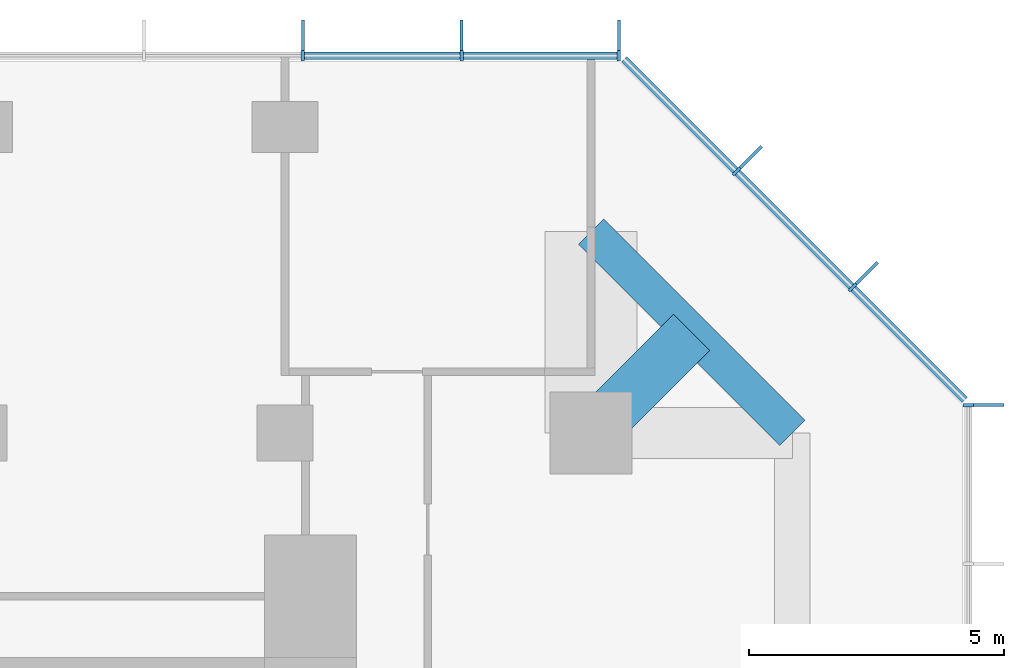
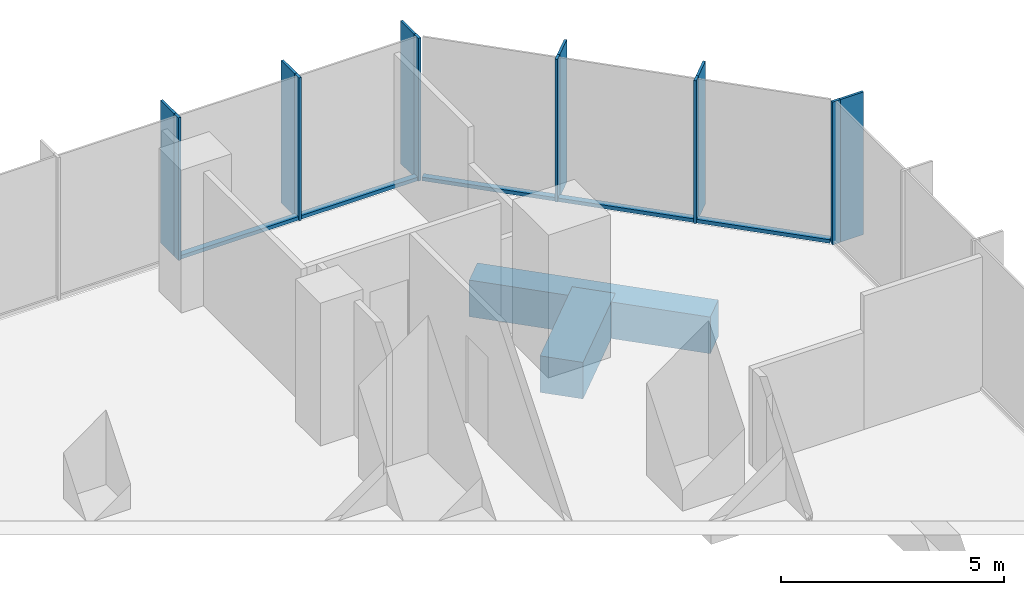
# One storey, part 6 of 11: 17 members, 2 beams, 3 elements without a shape of their own.
"""IFC4 building model written with IfcOpenShell, lengths in metres."""

from ifc_helpers import new_model, si_unit, direction, frame, origin, origin_2d, place, context, subcontext, project, spatial, rectangle, extrude, material, layer, layer_set, material_profile, profile_set, type_object, element, aggregate, save


model = new_model("IFC4")

# Units and contexts
model_context = context("Model", 3, precision=1e-05, world=origin(), true_north=direction((0.0, 1.0)))
body_context = subcontext(model_context, "Body", "Model", "MODEL_VIEW")
ifc_project = project(units=[si_unit("LENGTHUNIT", "METRE"), si_unit("AREAUNIT", "SQUARE_METRE"), si_unit("VOLUMEUNIT", "CUBIC_METRE"), si_unit("PLANEANGLEUNIT", "RADIAN"), si_unit("MASSUNIT", "GRAM", prefix="KILO")], contexts=[model_context])

# Site, building, storey
site_placement = place(None, origin())
site = spatial("IfcSite", under=ifc_project, at=site_placement, CompositionType="ELEMENT")
building_placement = place(site_placement, origin())
building = spatial("IfcBuilding", under=site, at=building_placement, Name="Highveld Stack Headquarters", CompositionType="ELEMENT")
storey_placement = place(building_placement, frame((0.0, 0.0, 260.60009765625)))
storey = spatial("IfcBuildingStorey", under=building, at=storey_placement, Name="L64", CompositionType="ELEMENT", Elevation=260.60009765625)

# Beam
ifc_material_1 = material(Name="Concrete C60/75", Category="concrete")
ifc_material_profile_1 = material_profile(ifc_material_1, rectangle(XDim=1.0, YDim=1.0, at=origin_2d()), Name="RC 1000x1000")
ifc_profile_set_1 = profile_set([ifc_material_profile_1], Name="Concrete C60/75")
beam_type_1 = type_object("IfcBeamType", Name="CANTILEVER RIB RC 1000x1000", PredefinedType="USERDEFINED", material=ifc_profile_set_1)
beam_1_placement = place(storey_placement, frame((24.0, 18.0, -0.75), z_axis=(0.707106781187, 0.707106781187, 0.0), x_axis=(-0.707106781187, 0.707106781187, 0.0)))
element("IfcBeam", 1, at=beam_1_placement, inside=storey, type_object=beam_type_1, Name="Cantilever rib 10/H L64", ObjectType="CANTILEVER RIB", PredefinedType="USERDEFINED", context=body_context, shape_type="SweptSolid", body=[
    extrude(rectangle(XDim=1.0, YDim=1.0, at=origin_2d()), origin(), (0.0, 0.0, 1.0), 2.793212890625),
])

# Curtain wall, member
ifc_material_2 = material(Name="Aluminium bronze anodised", Category="aluminium")
ifc_layer = layer(ifc_material_2, 0.199951171875)
ifc_layer_set = layer_set([ifc_layer], Name="Aluminium bronze anodised")
curtain_wall_type = type_object("IfcCurtainWallType", Name="CW5 EXECUTIVE UNITISED CURTAIN WALL", PredefinedType="NOTDEFINED", material=ifc_layer_set)
curtain_wall_1_placement = place(storey_placement, origin())
curtain_wall_1 = element("IfcCurtainWall", 2, at=curtain_wall_1_placement, inside=storey, type_object=curtain_wall_type, Name="Curtain wall CW5 L64 E", PredefinedType="NOTDEFINED")
ifc_material_3 = material(Name="Aluminium bronze anodised", Category="aluminium")
ifc_material_profile_2 = material_profile(ifc_material_3, rectangle(XDim=0.60009765625, YDim=0.06005859375, at=origin_2d()), Name="FIN 600x60")
ifc_profile_set_2 = profile_set([ifc_material_profile_2], Name="Aluminium bronze anodised")
member_type_1 = type_object("IfcMemberType", Name="CW5 BRONZE FIN 600x60", PredefinedType="USERDEFINED", material=ifc_profile_set_2)
member_1_placement = place(storey_placement, frame((31.800048828125, 18.54736328125, 0.0), z_axis=(0.0, 0.0, 1.0), x_axis=(-1.0, 0.0, 0.0)))
member_1 = element("IfcMember", 3, at=member_1_placement, type_object=member_type_1, Name="CW5 fin L64 9", ObjectType="FIN", PredefinedType="USERDEFINED", context=body_context, shape_type="SweptSolid", body=[
    extrude(rectangle(XDim=0.60009765625, YDim=0.06005859375, at=origin_2d()), origin(), (0.0, 0.0, 1.0), 3.89990234375),
])

# Curtain wall, members
curtain_wall_2_placement = place(storey_placement, origin())
curtain_wall_2 = element("IfcCurtainWall", 4, at=curtain_wall_2_placement, inside=storey, type_object=curtain_wall_type, Name="Curtain wall CW5 L64 NE", PredefinedType="NOTDEFINED")
member_2_placement = place(storey_placement, frame((29.409423828125, 21.135986328125, 0.0), z_axis=(0.0, 0.0, 1.0), x_axis=(-0.707106781187, -0.707106781187, 0.0)))
member_2 = element("IfcMember", 5, at=member_2_placement, type_object=member_type_1, Name="CW5 fin L64 1", ObjectType="FIN", PredefinedType="USERDEFINED", context=body_context, shape_type="SweptSolid", body=[
    extrude(rectangle(XDim=0.60009765625, YDim=0.06005859375, at=origin_2d()), origin(), (0.0, 0.0, 1.0), 3.89990234375),
])
member_3_placement = place(storey_placement, frame((27.135986328125, 23.409423828125, 0.0), z_axis=(0.0, 0.0, 1.0), x_axis=(-0.707106781187, -0.707106781187, 0.0)))
member_3 = element("IfcMember", 6, at=member_3_placement, type_object=member_type_1, Name="CW5 fin L64 2", ObjectType="FIN", PredefinedType="USERDEFINED", context=body_context, shape_type="SweptSolid", body=[
    extrude(rectangle(XDim=0.60009765625, YDim=0.06005859375, at=origin_2d()), origin(), (0.0, 0.0, 1.0), 3.89990234375),
])

curtain_wall_3_placement = place(storey_placement, origin())
curtain_wall_3 = element("IfcCurtainWall", 7, at=curtain_wall_3_placement, inside=storey, type_object=curtain_wall_type, Name="Curtain wall CW5 L64 N", PredefinedType="NOTDEFINED")
member_4_placement = place(storey_placement, frame((24.54736328125, 25.800048828125, 0.0), z_axis=(0.0, 0.0, 1.0), x_axis=(0.0, -1.0, 0.0)))
member_4 = element("IfcMember", 8, at=member_4_placement, type_object=member_type_1, Name="CW5 fin L64 1", ObjectType="FIN", PredefinedType="USERDEFINED", context=body_context, shape_type="SweptSolid", body=[
    extrude(rectangle(XDim=0.60009765625, YDim=0.06005859375, at=origin_2d()), origin(), (0.0, 0.0, 1.0), 3.89990234375),
])
member_5_placement = place(storey_placement, frame((21.4638671875, 25.800048828125, 0.0), z_axis=(0.0, 0.0, 1.0), x_axis=(0.0, -1.0, 0.0)))
member_5 = element("IfcMember", 9, at=member_5_placement, type_object=member_type_1, Name="CW5 fin L64 2", ObjectType="FIN", PredefinedType="USERDEFINED", context=body_context, shape_type="SweptSolid", body=[
    extrude(rectangle(XDim=0.60009765625, YDim=0.06005859375, at=origin_2d()), origin(), (0.0, 0.0, 1.0), 3.89990234375),
])
member_6_placement = place(storey_placement, frame((18.347900390625, 25.800048828125, 0.0), z_axis=(0.0, 0.0, 1.0), x_axis=(0.0, -1.0, 0.0)))
member_6 = element("IfcMember", 10, at=member_6_placement, type_object=member_type_1, Name="CW5 fin L64 3", ObjectType="FIN", PredefinedType="USERDEFINED", context=body_context, shape_type="SweptSolid", body=[
    extrude(rectangle(XDim=0.60009765625, YDim=0.06005859375, at=origin_2d()), origin(), (0.0, 0.0, 1.0), 3.89990234375),
])

# Member
ifc_material_4 = material(Name="Aluminium bronze anodised", Category="aluminium")
ifc_material_profile_3 = material_profile(ifc_material_4, rectangle(XDim=0.199951171875, YDim=0.06494140625, at=origin_2d()), Name="CW5 MULLION 65x200")
ifc_profile_set_3 = profile_set([ifc_material_profile_3], Name="Aluminium bronze anodised")
member_type_2 = type_object("IfcMemberType", Name="CW5 MULLION 65x200", PredefinedType="MULLION", material=ifc_profile_set_3)
member_7_placement = place(storey_placement, frame((31.39990234375, 18.54736328125, 0.0), z_axis=(0.0, 0.0, 1.0), x_axis=(-1.0, 0.0, 0.0)))
member_7 = element("IfcMember", 11, at=member_7_placement, type_object=member_type_2, Name="CW5 mullion L64 9", PredefinedType="MULLION", context=body_context, shape_type="SweptSolid", body=[
    extrude(rectangle(XDim=0.199951171875, YDim=0.06494140625, at=origin_2d()), origin(), (0.0, 0.0, 1.0), 3.89990234375),
])

aggregate(curtain_wall_1, [member_7, member_1])

member_8_placement = place(storey_placement, frame((29.126708984375, 20.853271484375, 0.0), z_axis=(0.0, 0.0, 1.0), x_axis=(-0.707106781187, -0.707106781187, 0.0)))
member_8 = element("IfcMember", 12, at=member_8_placement, type_object=member_type_2, Name="CW5 mullion L64 1", PredefinedType="MULLION", context=body_context, shape_type="SweptSolid", body=[
    extrude(rectangle(XDim=0.199951171875, YDim=0.06494140625, at=origin_2d()), origin(), (0.0, 0.0, 1.0), 3.89990234375),
])

member_9_placement = place(storey_placement, frame((26.853271484375, 23.126708984375, 0.0), z_axis=(0.0, 0.0, 1.0), x_axis=(-0.707106781187, -0.707106781187, 0.0)))
member_9 = element("IfcMember", 13, at=member_9_placement, type_object=member_type_2, Name="CW5 mullion L64 2", PredefinedType="MULLION", context=body_context, shape_type="SweptSolid", body=[
    extrude(rectangle(XDim=0.199951171875, YDim=0.06494140625, at=origin_2d()), origin(), (0.0, 0.0, 1.0), 3.89990234375),
])

member_10_placement = place(storey_placement, frame((24.54736328125, 25.39990234375, 0.0), z_axis=(0.0, 0.0, 1.0), x_axis=(0.0, -1.0, 0.0)))
member_10 = element("IfcMember", 14, at=member_10_placement, type_object=member_type_2, Name="CW5 mullion L64 1", PredefinedType="MULLION", context=body_context, shape_type="SweptSolid", body=[
    extrude(rectangle(XDim=0.199951171875, YDim=0.06494140625, at=origin_2d()), origin(), (0.0, 0.0, 1.0), 3.89990234375),
])

member_11_placement = place(storey_placement, frame((21.4638671875, 25.39990234375, 0.0), z_axis=(0.0, 0.0, 1.0), x_axis=(0.0, -1.0, 0.0)))
member_11 = element("IfcMember", 15, at=member_11_placement, type_object=member_type_2, Name="CW5 mullion L64 2", PredefinedType="MULLION", context=body_context, shape_type="SweptSolid", body=[
    extrude(rectangle(XDim=0.199951171875, YDim=0.06494140625, at=origin_2d()), origin(), (0.0, 0.0, 1.0), 3.89990234375),
])

member_12_placement = place(storey_placement, frame((18.347900390625, 25.39990234375, 0.0), z_axis=(0.0, 0.0, 1.0), x_axis=(0.0, -1.0, 0.0)))
member_12 = element("IfcMember", 16, at=member_12_placement, type_object=member_type_2, Name="CW5 mullion L64 3", PredefinedType="MULLION", context=body_context, shape_type="SweptSolid", body=[
    extrude(rectangle(XDim=0.199951171875, YDim=0.06494140625, at=origin_2d()), origin(), (0.0, 0.0, 1.0), 3.89990234375),
])

ifc_material_5 = material(Name="Aluminium bronze anodised", Category="aluminium")
ifc_material_profile_4 = material_profile(ifc_material_5, rectangle(XDim=0.14990234375, YDim=0.10009765625, at=origin_2d()), Name="CW5 TRANSOM 150x100")
ifc_profile_set_4 = profile_set([ifc_material_profile_4], Name="Aluminium bronze anodised")
member_type_3 = type_object("IfcMemberType", Name="CW5 STACK TRANSOM 150x100", PredefinedType="USERDEFINED", material=ifc_profile_set_4)
member_13_placement = place(storey_placement, frame((31.329345703125, 18.650634765625, 0.0498046875), z_axis=(-0.707106781187, 0.707106781187, 0.0), x_axis=(-0.707106781187, -0.707106781187, 0.0)))
member_13 = element("IfcMember", 17, at=member_13_placement, type_object=member_type_3, Name="CW5 transom L64 1.1", ObjectType="TRANSOM", PredefinedType="USERDEFINED", context=body_context, shape_type="SweptSolid", body=[
    extrude(rectangle(XDim=0.14990234375, YDim=0.10009765625, at=origin_2d()), origin(), (0.0, 0.0, 1.0), 3.08251953125),
])

member_14_placement = place(storey_placement, frame((29.103759765625, 20.876220703125, 0.0498046875), z_axis=(-0.707106781187, 0.707106781187, 0.0), x_axis=(-0.707106781187, -0.707106781187, 0.0)))
member_14 = element("IfcMember", 18, at=member_14_placement, type_object=member_type_3, Name="CW5 transom L64 2.1", ObjectType="TRANSOM", PredefinedType="USERDEFINED", context=body_context, shape_type="SweptSolid", body=[
    extrude(rectangle(XDim=0.14990234375, YDim=0.10009765625, at=origin_2d()), origin(), (0.0, 0.0, 1.0), 3.150146484375),
])

member_15_placement = place(storey_placement, frame((26.830322265625, 23.149658203125, 0.0498046875), z_axis=(-0.707106781187, 0.707106781187, 0.0), x_axis=(-0.707106781187, -0.707106781187, 0.0)))
member_15 = element("IfcMember", 19, at=member_15_placement, type_object=member_type_3, Name="CW5 transom L64 3.1", ObjectType="TRANSOM", PredefinedType="USERDEFINED", context=body_context, shape_type="SweptSolid", body=[
    extrude(rectangle(XDim=0.14990234375, YDim=0.10009765625, at=origin_2d()), origin(), (0.0, 0.0, 1.0), 3.08251953125),
])

aggregate(curtain_wall_2, [member_8, member_2, member_9, member_3, member_13, member_14, member_15])

member_16_placement = place(storey_placement, frame((24.514892578125, 25.39990234375, 0.0498046875), z_axis=(-1.0, 0.0, 0.0), x_axis=(0.0, -1.0, 0.0)))
member_16 = element("IfcMember", 20, at=member_16_placement, type_object=member_type_3, Name="CW5 transom L64 1.1", ObjectType="TRANSOM", PredefinedType="USERDEFINED", context=body_context, shape_type="SweptSolid", body=[
    extrude(rectangle(XDim=0.14990234375, YDim=0.10009765625, at=origin_2d()), origin(), (0.0, 0.0, 1.0), 3.0185546875),
])

member_17_placement = place(storey_placement, frame((21.431396484375, 25.39990234375, 0.0498046875), z_axis=(-1.0, 0.0, 0.0), x_axis=(0.0, -1.0, 0.0)))
member_17 = element("IfcMember", 21, at=member_17_placement, type_object=member_type_3, Name="CW5 transom L64 2.1", ObjectType="TRANSOM", PredefinedType="USERDEFINED", context=body_context, shape_type="SweptSolid", body=[
    extrude(rectangle(XDim=0.14990234375, YDim=0.10009765625, at=origin_2d()), origin(), (0.0, 0.0, 1.0), 3.051025390625),
])

aggregate(curtain_wall_3, [member_10, member_4, member_11, member_5, member_12, member_6, member_16, member_17])

# Beam
ifc_material_6 = material(Name="Concrete C60/75", Category="concrete")
ifc_material_profile_5 = material_profile(ifc_material_6, rectangle(XDim=0.699951171875, YDim=1.0, at=origin_2d()), Name="RC 700x1000")
ifc_profile_set_5 = profile_set([ifc_material_profile_5], Name="Concrete C60/75")
beam_type_2 = type_object("IfcBeamType", Name="RIB TIP BEAM RC 700x1000", PredefinedType="SPANDREL", material=ifc_profile_set_5)
beam_2_placement = place(storey_placement, frame((27.949951171875, 18.0, -0.75), z_axis=(-0.707106781187, 0.707106781187, 0.0), x_axis=(-0.707106781187, -0.707106781187, 0.0)))
element("IfcBeam", 22, at=beam_2_placement, inside=storey, type_object=beam_type_2, Name="Rib tip beam 10/H corner L64", PredefinedType="SPANDREL", context=body_context, shape_type="SweptSolid", body=[
    extrude(rectangle(XDim=0.699951171875, YDim=1.0, at=origin_2d()), origin(), (0.0, 0.0, 1.0), 5.586181640625),
])

save(model, "model.ifc")
